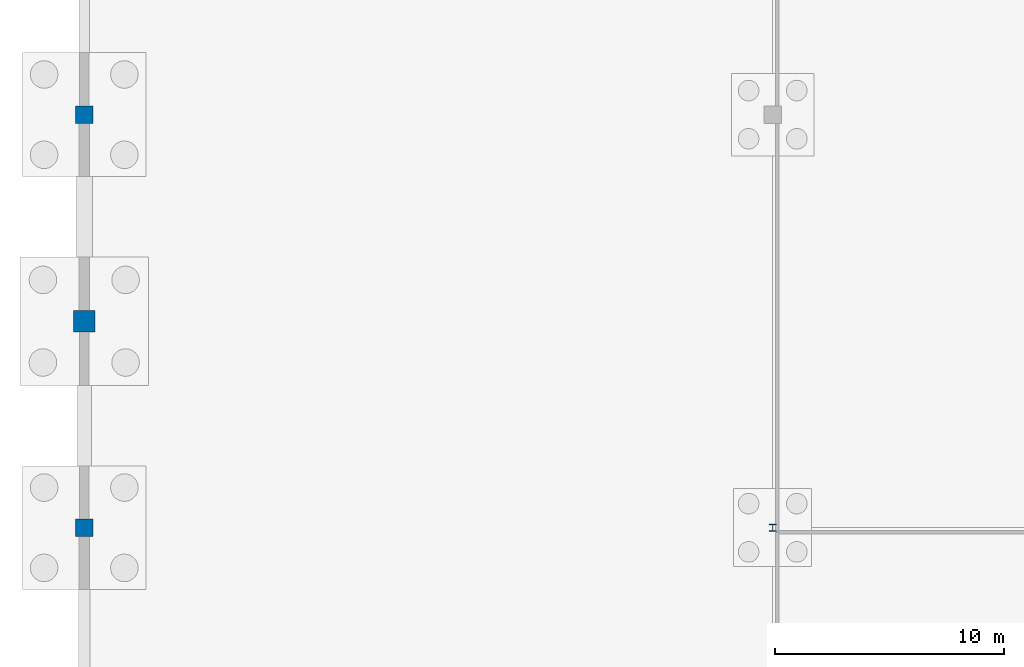
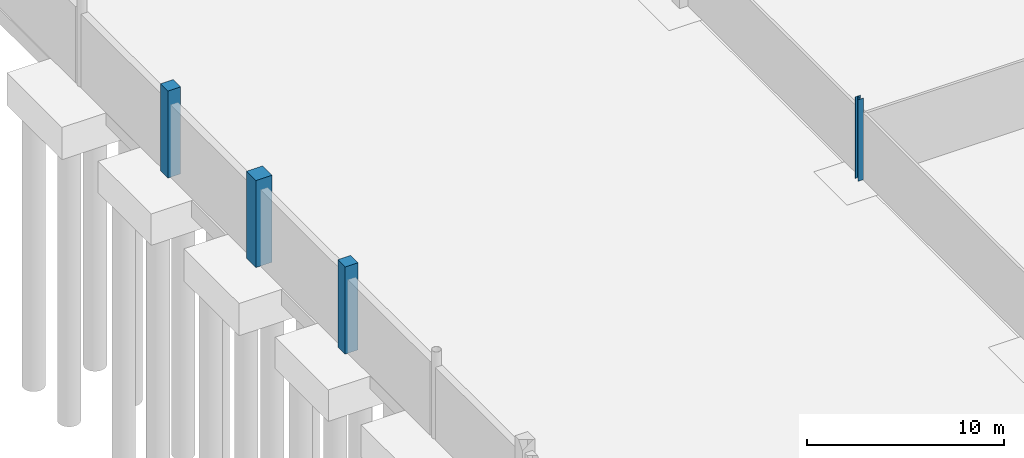
# One storey, part 19 of 58: 4 columns.
"""IFC4 building model written with IfcOpenShell, lengths in metres."""

from ifc_helpers import new_model, si_unit, direction, frame, origin, origin_2d, place, context, subcontext, project, spatial, rectangle, i_section, extrude, material, material_profile, profile_set, type_object, element, save


model = new_model("IFC4")

# Units and contexts
model_context = context("Model", 3, precision=1e-05, world=origin(), true_north=direction((0.0, 1.0)))
body_context = subcontext(model_context, "Body", "Model", "MODEL_VIEW")
ifc_project = project(units=[si_unit("LENGTHUNIT", "METRE"), si_unit("AREAUNIT", "SQUARE_METRE"), si_unit("VOLUMEUNIT", "CUBIC_METRE"), si_unit("PLANEANGLEUNIT", "RADIAN"), si_unit("MASSUNIT", "GRAM", prefix="KILO")], contexts=[model_context])

# Site, building, storey
site_placement = place(None, origin())
site = spatial("IfcSite", under=ifc_project, at=site_placement, CompositionType="ELEMENT")
building_placement = place(site_placement, origin())
building = spatial("IfcBuilding", under=site, at=building_placement, Name="Qamarlyn Nura Convention Centre", CompositionType="ELEMENT")
storey_placement = place(building_placement, frame((0.0, 0.0, -5.39990234375)))
storey = spatial("IfcBuildingStorey", under=building, at=storey_placement, Name="B01", CompositionType="ELEMENT", Elevation=-5.39990234375)

# Columns
ifc_material_1 = material(Name="Concrete C50/60", Category="concrete")
ifc_material_profile_1 = material_profile(ifc_material_1, rectangle(XDim=0.949951171875, YDim=0.949951171875, at=origin_2d()), Name="RC 950x950")
ifc_profile_set_1 = profile_set([ifc_material_profile_1], Name="Concrete C50/60")
column_type_1 = type_object("IfcColumnType", Name="COL-HALL-2", PredefinedType="COLUMN", material=ifc_profile_set_1)
column_1_placement = place(storey_placement, frame((0.0, 72.0, 0.0), z_axis=(0.0, 0.0, 1.0), x_axis=(1.0, 0.0, 0.0)))
element("IfcColumn", 1, at=column_1_placement, inside=storey, type_object=column_type_1, Name="B01 column 1/J", PredefinedType="COLUMN", context=body_context, shape_type="SweptSolid", body=[
    extrude(rectangle(XDim=0.949951171875, YDim=0.949951171875, at=origin_2d()), origin(), (0.0, 0.0, 1.0), 5.39990234375),
])
ifc_material_profile_2 = material_profile(ifc_material_1, rectangle(XDim=0.75, YDim=0.75, at=origin_2d()), Name="RC 750x750")
ifc_profile_set_2 = profile_set([ifc_material_profile_2], Name="Concrete C50/60")
column_type_2 = type_object("IfcColumnType", Name="COL-SUB-2", PredefinedType="COLUMN", material=ifc_profile_set_2)
for number, where, z_axis, x_axis, name in (
    (2, (0.0, 63.0, 0.0), (0.0, 0.0, 1.0), (1.0, 0.0, 0.0), "B01 column 1/H"),
    (3, (0.0, 81.0, 0.0), (0.0, 0.0, 1.0), (1.0, 0.0, 0.0), "B01 column 1/K"),
):
    element("IfcColumn", number, at=place(storey_placement, frame(where, z_axis=z_axis, x_axis=x_axis)), inside=storey, type_object=column_type_2, Name=name, PredefinedType="COLUMN", context=body_context, shape_type="SweptSolid", body=[
        extrude(rectangle(XDim=0.75, YDim=0.75, at=origin_2d()), origin(), (0.0, 0.0, 1.0), 5.39990234375),
    ])
ifc_material_2 = material(Name="Steel ASTM A992", Category="steel")
ifc_material_profile_3 = material_profile(ifc_material_2, i_section(OverallWidth=0.304931640625, OverallDepth=0.30810546875, WebThickness=0.010009765625, FlangeThickness=0.015380859375, FilletRadius=0.014892578125, at=origin_2d()), Name="W310X97")
ifc_profile_set_3 = profile_set([ifc_material_profile_3], Name="Steel ASTM A992")
column_type_3 = type_object("IfcColumnType", Name="COL-WING-4", PredefinedType="COLUMN", material=ifc_profile_set_3)
column_2_placement = place(storey_placement, frame((30.0, 63.0, 0.0), z_axis=(0.0, 0.0, 1.0), x_axis=(1.0, 0.0, 0.0)))
element("IfcColumn", 4, at=column_2_placement, inside=storey, type_object=column_type_3, Name="B01 column 3/H", PredefinedType="COLUMN", context=body_context, shape_type="SweptSolid", body=[
    extrude(i_section(OverallWidth=0.304931640625, OverallDepth=0.30810546875, WebThickness=0.010009765625, FlangeThickness=0.015380859375, FilletRadius=0.014892578125, at=origin_2d()), origin(), (0.0, 0.0, 1.0), 5.0498046875),
])

save(model, "model.ifc")
